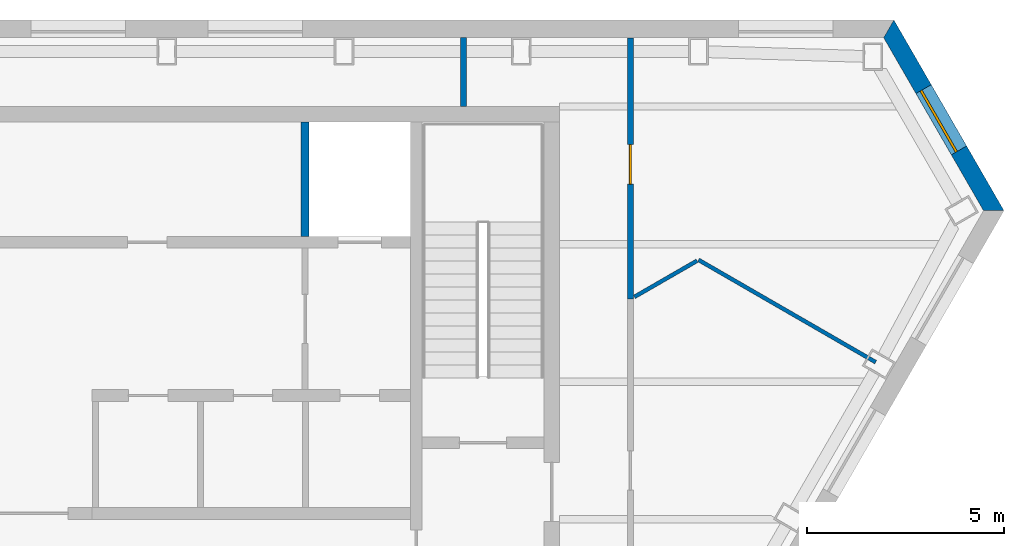
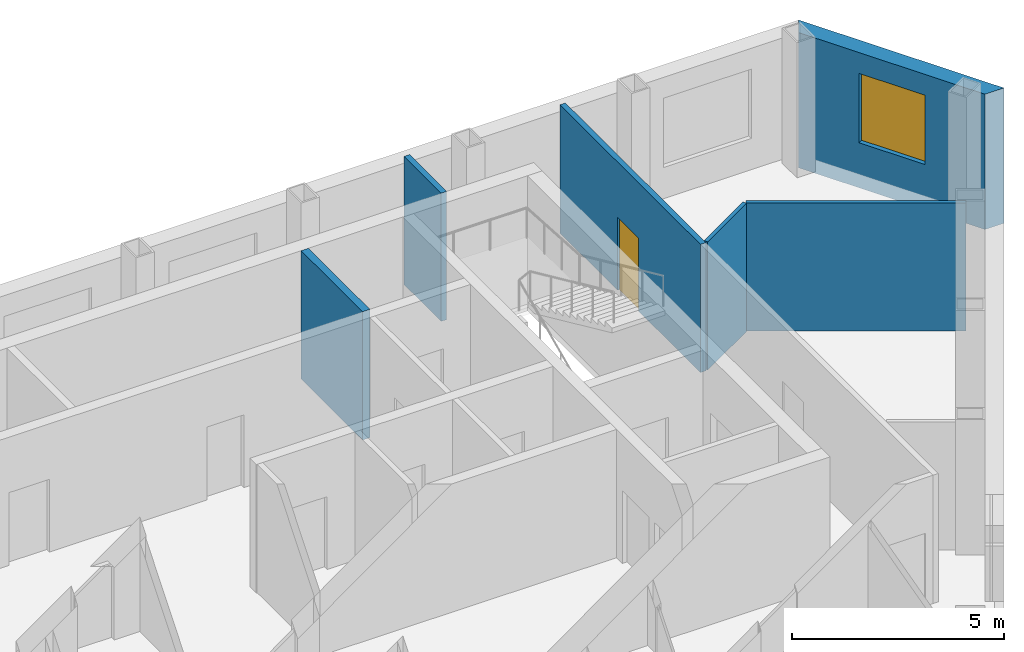
# One storey, part 7 of 10: 6 walls, 1 door, 1 window, 2 openings.
"""IFC4 building model written with IfcOpenShell, lengths in metres."""

from ifc_helpers import new_model, si_unit, direction, frame, frame_2d, origin, place, context, subcontext, project, spatial, polyline, rectangle, outline, extrude, material, layer, layer_set, type_object, element, fill, save


model = new_model("IFC4")

# Units and contexts
model_context = context("Model", 3, precision=1e-05, world=origin(), true_north=direction((0.0, 1.0)))
body_context = subcontext(model_context, "Body", "Model", "MODEL_VIEW")
ifc_project = project(units=[si_unit("LENGTHUNIT", "METRE"), si_unit("AREAUNIT", "SQUARE_METRE"), si_unit("VOLUMEUNIT", "CUBIC_METRE"), si_unit("PLANEANGLEUNIT", "RADIAN"), si_unit("MASSUNIT", "GRAM", prefix="KILO")], contexts=[model_context])

# Site, building, storey
site_placement = place(None, origin())
site = spatial("IfcSite", under=ifc_project, at=site_placement, CompositionType="ELEMENT")
building_placement = place(site_placement, origin())
building = spatial("IfcBuilding", under=site, at=building_placement, Name="Njiva Tower", CompositionType="ELEMENT")
storey_placement = place(building_placement, frame((0.0, 0.0, 272.7)))
storey = spatial("IfcBuildingStorey", under=building, at=storey_placement, Name="L62", CompositionType="ELEMENT", Elevation=272.7)

# Walls
ifc_material_1 = material(Name="Gypsum board on steel studs", Category="gypsum")
ifc_layer_1 = layer(ifc_material_1, 0.1)
ifc_layer_set_1 = layer_set([ifc_layer_1], Name="Gypsum board on steel studs")
wall_type_1 = type_object("IfcWallType", Name="WT20 Gypsum partition 100", PredefinedType="PARTITIONING", material=ifc_layer_set_1)
wall_1_placement = place(storey_placement, frame((16.401, 13.158, 0.0), z_axis=(0.0, 0.0, 1.0), x_axis=(0.866194638357, 0.499706762492, 0.0)))
element("IfcWall", 1, at=wall_1_placement, inside=storey, type_object=wall_type_1, Name="Partition S20-P027", PredefinedType="PARTITIONING", context=body_context, shape_type="SweptSolid", body=[
    extrude(rectangle(XDim=1.8391, YDim=0.1, at=frame_2d((0.9196, 0.0))), origin(), (0.0, 0.0, 1.0), 3.7),
])
wall_2_placement = place(storey_placement, frame((18.032, 14.098, 0.0), z_axis=(0.0, 0.0, 1.0), x_axis=(0.8661055579, -0.499861143294, 0.0)))
element("IfcWall", 2, at=wall_2_placement, inside=storey, type_object=wall_type_1, Name="Partition S20-P028", PredefinedType="PARTITIONING", context=body_context, shape_type="SweptSolid", body=[
    extrude(rectangle(XDim=5.2014, YDim=0.1, at=frame_2d((2.6007, 0.0))), origin(), (0.0, 0.0, 1.0), 3.7),
])
ifc_layer_2 = layer(ifc_material_1, 0.15)
ifc_layer_set_2 = layer_set([ifc_layer_2], Name="Gypsum board on steel studs")
wall_type_2 = type_object("IfcWallType", Name="WT21 Compartment wall 150", PredefinedType="PARTITIONING", material=ifc_layer_set_2)
wall_3_placement = place(storey_placement, frame((12.05, 18.0, 0.0), z_axis=(0.0, 0.0, 1.0), x_axis=(0.0, 1.0, 0.0)))
element("IfcWall", 3, at=wall_3_placement, inside=storey, type_object=wall_type_2, Name="Partition S20-P022", PredefinedType="PARTITIONING", context=body_context, shape_type="SweptSolid", body=[
    extrude(rectangle(XDim=1.75, YDim=0.15, at=frame_2d((0.875, 0.0))), origin(), (0.0, 0.0, 1.0), 3.7),
])

# Wall, opening, door
wall_4_placement = place(storey_placement, frame((16.3, 19.747, 0.0), z_axis=(0.0, 0.0, 1.0), x_axis=(0.000150670482, -0.999999988649, 0.0)))
wall_4 = element("IfcWall", 4, at=wall_4_placement, inside=storey, type_object=wall_type_2, Name="Partition S20-P025", PredefinedType="PARTITIONING", context=body_context, shape_type="SweptSolid", body=[
    extrude(rectangle(XDim=6.637, YDim=0.15, at=frame_2d((3.3185, 0.0))), origin(), (0.0, 0.0, 1.0), 3.7),
])
opening_1_placement = place(wall_4_placement, frame((2.718, 0.0, 0.0)))
opening_1 = element("IfcOpeningElement", 5, at=opening_1_placement, cuts=wall_4, Name="Opening S20-D018", PredefinedType="OPENING", context=body_context, shape_type="SweptSolid", body=[
    extrude(rectangle(XDim=1.0, YDim=2.1, at=frame_2d((0.5, 1.05))), frame((0.0, 0.085, 0.0), z_axis=(0.0, -1.0, 0.0), x_axis=(1.0, 0.0, 0.0)), (0.0, 0.0, 1.0), 0.17),
])
ifc_material_2 = material(Name="Steel fire door set", Category="steel")
door_type = type_object("IfcDoorType", Name="D37 Fire door 1000x2100", OperationType="SINGLE_SWING_LEFT", PredefinedType="DOOR", material=ifc_material_2)
door_placement = place(opening_1_placement, origin())
door = element("IfcDoor", 6, at=door_placement, inside=storey, type_object=door_type, Name="Door S20-D018", OperationType="SINGLE_SWING_RIGHT", OverallHeight=2.1, OverallWidth=1.0, PredefinedType="DOOR", context=body_context, shape_type="SweptSolid", body=[
    extrude(rectangle(XDim=1.0, YDim=2.1, at=frame_2d((0.5, 1.05))), frame((0.0, 0.025, 0.0), z_axis=(0.0, -1.0, 0.0), x_axis=(1.0, 0.0, 0.0)), (0.0, 0.0, 1.0), 0.05),
])
fill(opening_1, door)

# Wall
ifc_material_3 = material(Name="Concrete C40/50", Category="concrete")
ifc_layer_3 = layer(ifc_material_3, 0.2)
ifc_layer_set_3 = layer_set([ifc_layer_3], Name="Concrete C40/50")
wall_type_3 = type_object("IfcWallType", Name="WT6 Lift shaft wall 200", PredefinedType="SHEAR", material=ifc_layer_set_3)
wall_5_placement = place(storey_placement, frame((8.025, 14.7, 0.0), z_axis=(0.0, 0.0, 1.0), x_axis=(0.0, 1.0, 0.0)))
element("IfcWall", 7, at=wall_5_placement, inside=storey, type_object=wall_type_3, Name="Shaft wall CN7", PredefinedType="SHEAR", context=body_context, shape_type="SweptSolid", body=[
    extrude(rectangle(XDim=2.9, YDim=0.2, at=frame_2d((1.45, 0.0))), origin(), (0.0, 0.0, 1.0), 3.7),
])

# Wall, opening, window
ifc_material_4 = material(Name="Brick masonry, buff", Category="masonry")
ifc_layer_4 = layer(ifc_material_4, 0.45)
ifc_layer_set_4 = layer_set([ifc_layer_4], Name="Brick masonry, buff")
wall_type_4 = type_object("IfcWallType", Name="WT94 Brick pier and spandrel wall 450, buff", PredefinedType="SOLIDWALL", material=ifc_layer_set_4)
wall_6_placement = place(storey_placement, frame((25.5402, 15.3503, -0.4), z_axis=(0.0, 0.0, 1.0), x_axis=(-0.500003961967, 0.866023116329, 0.0)))
wall_6 = element("IfcWall", 8, at=wall_6_placement, inside=storey, type_object=wall_type_4, Name="Facade wall NE", PredefinedType="SOLIDWALL", context=body_context, shape_type="SweptSolid", body=[
    extrude(outline(polyline([(-0.1299, -0.225), (5.4701, -0.225), (5.2103, 0.225), (0.1299, 0.225), (-0.1299, -0.225)])), origin(), (0.0, 0.0, 1.0), 3.9),
])
opening_2_placement = place(wall_6_placement, frame((1.7701, 0.0, 1.3)))
opening_2 = element("IfcOpeningElement", 9, at=opening_2_placement, cuts=wall_6, Name="Opening S20-W29", PredefinedType="OPENING", context=body_context, shape_type="SweptSolid", body=[
    extrude(rectangle(XDim=1.8, YDim=2.0, at=frame_2d((0.9, 1.0))), frame((0.0, 0.235, 0.0), z_axis=(0.0, -1.0, 0.0), x_axis=(1.0, 0.0, 0.0)), (0.0, 0.0, 1.0), 0.47),
])
ifc_material_5 = material(Name="Clear glazing in aluminium frame", Category="aluminium")
window_type = type_object("IfcWindowType", Name="W94 Deep-set window 1800x2000", PartitioningType="SINGLE_PANEL", PredefinedType="WINDOW", material=ifc_material_5)
window_placement = place(opening_2_placement, origin())
window = element("IfcWindow", 10, at=window_placement, inside=storey, type_object=window_type, Name="Window", OverallHeight=2.0, OverallWidth=1.8, PartitioningType="SINGLE_PANEL", PredefinedType="WINDOW", context=body_context, shape_type="SweptSolid", body=[
    extrude(rectangle(XDim=1.8, YDim=2.0, at=frame_2d((0.9, 1.0))), frame((0.0, 0.105, 0.0), z_axis=(0.0, -1.0, 0.0), x_axis=(1.0, 0.0, 0.0)), (0.0, 0.0, 1.0), 0.06),
])
fill(opening_2, window)

save(model, "model.ifc")
